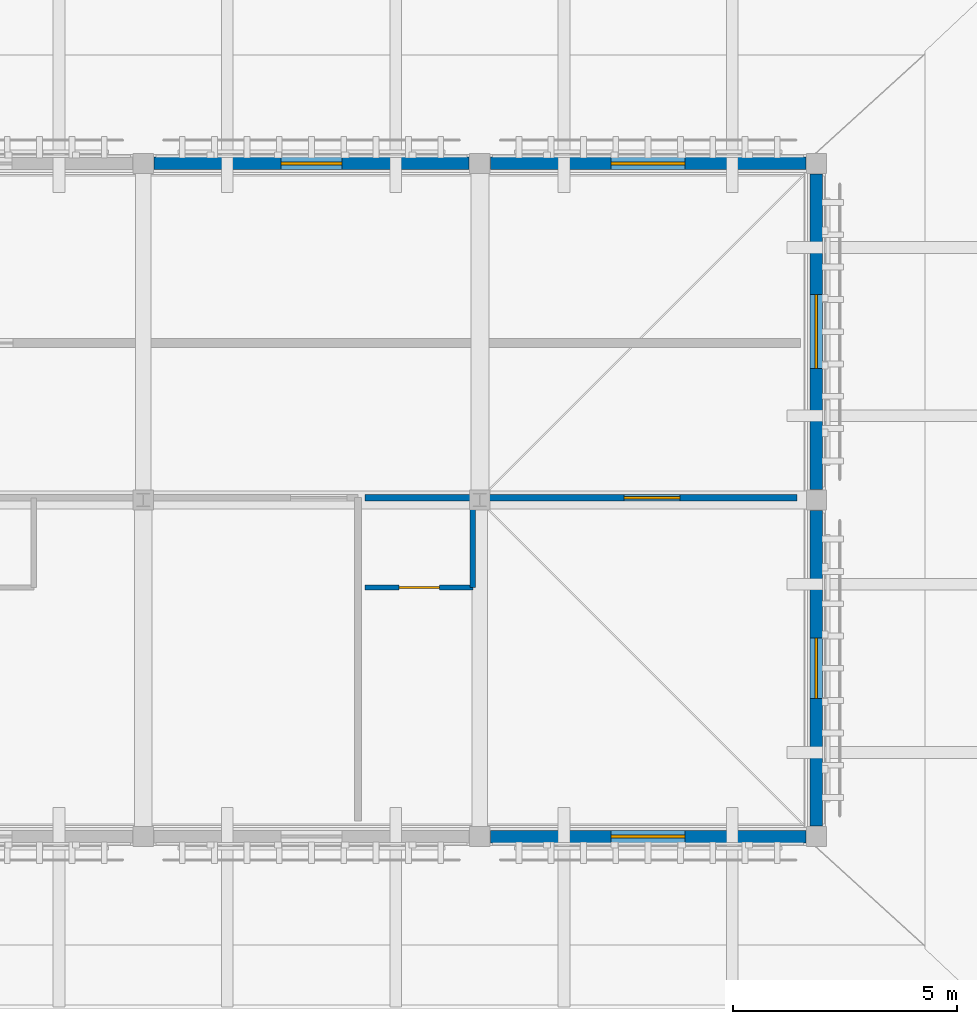
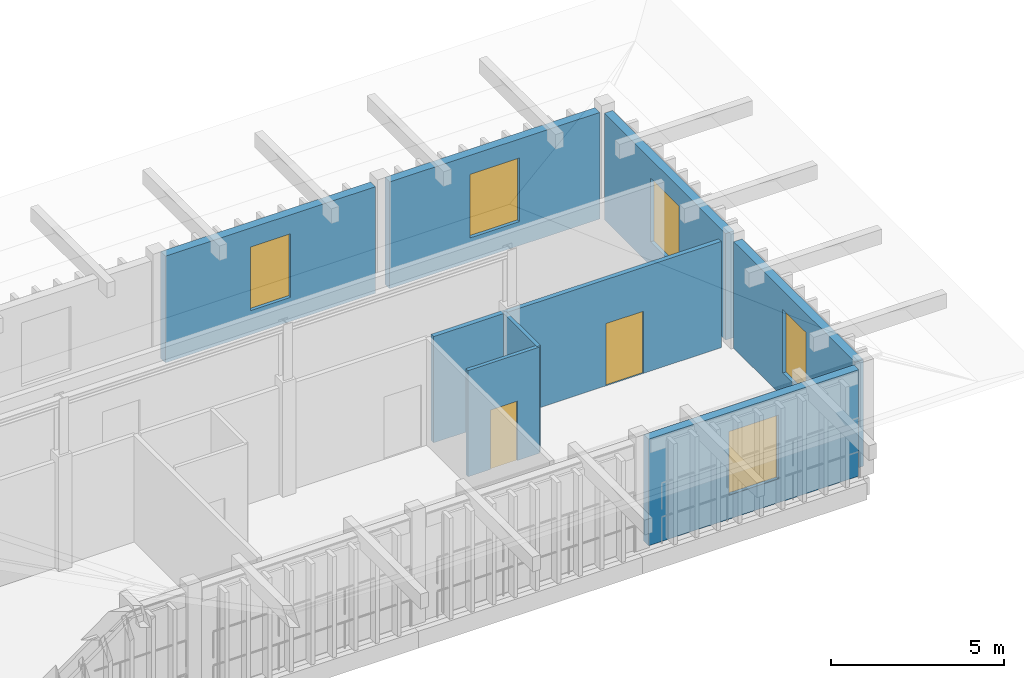
# One storey, part 19 of 33: 8 walls, 5 windows, 2 doors, 7 openings.
"""IFC4 building model written with IfcOpenShell, lengths in metres."""

from ifc_helpers import new_model, si_unit, direction, frame, frame_2d, origin, place, context, subcontext, project, spatial, rectangle, extrude, material, layer, layer_set, type_object, element, fill, save


model = new_model("IFC4")

# Units and contexts
model_context = context("Model", 3, precision=1e-05, world=origin(), true_north=direction((0.0, 1.0)))
body_context = subcontext(model_context, "Body", "Model", "MODEL_VIEW")
ifc_project = project(units=[si_unit("LENGTHUNIT", "METRE"), si_unit("AREAUNIT", "SQUARE_METRE"), si_unit("VOLUMEUNIT", "CUBIC_METRE"), si_unit("PLANEANGLEUNIT", "RADIAN"), si_unit("MASSUNIT", "GRAM", prefix="KILO")], contexts=[model_context])

# Site, building, storey
site_placement = place(None, origin())
site = spatial("IfcSite", under=ifc_project, at=site_placement, CompositionType="ELEMENT")
building_placement = place(site_placement, origin())
building = spatial("IfcBuilding", under=site, at=building_placement, Name="Dalvernix Boulevard General Hospital", CompositionType="ELEMENT")
storey_placement = place(building_placement, frame((0.0, 0.0, 21.89990234375)))
storey = spatial("IfcBuildingStorey", under=building, at=storey_placement, Name="L05", CompositionType="ELEMENT", Elevation=21.89990234375)

# Wall, opening, window
ifc_material_1 = material(Name="Screened upper-ward insulated masonry cavity wall C35/45", Category="masonry")
ifc_layer_1 = layer(ifc_material_1, 0.280029296875)
ifc_layer_set_1 = layer_set([ifc_layer_1], Name="Screened upper-ward insulated masonry cavity wall C35/45 (WAL-EW-03)")
wall_type_1 = type_object("IfcWallType", Name="WAL-EW-03", PredefinedType="STANDARD", material=ifc_layer_set_1)
wall_1_placement = place(storey_placement, frame((157.735107421875, 22.5, 0.0), z_axis=(0.0, 0.0, 1.0), x_axis=(1.0, 0.0, 0.0)))
wall_1 = element("IfcWall", 1, at=wall_1_placement, inside=storey, type_object=wall_type_1, Name="L05 Catalan brick external wall N 21-3", PredefinedType="STANDARD", context=body_context, shape_type="SweptSolid", body=[
    extrude(rectangle(XDim=7.02978515625, YDim=0.280029296875, at=frame_2d((3.514892578125, 0.0))), origin(), (0.0, 0.0, 1.0), 3.77001953125),
])
opening_1_placement = place(wall_1_placement, frame((2.840087890625, 0.0, 0.85009765625)))
opening_1 = element("IfcOpeningElement", 2, at=opening_1_placement, cuts=wall_1, Name="Opening WN-19", PredefinedType="OPENING", context=body_context, shape_type="SweptSolid", body=[
    extrude(rectangle(XDim=1.35009765625, YDim=2.25, at=frame_2d((0.675048828125, 1.125))), frame((0.0, 0.14990234375, 0.0), z_axis=(0.0, -1.0, 0.0), x_axis=(1.0, 0.0, 0.0)), (0.0, 0.0, 1.0), 0.300048828125),
])
ifc_material_2 = material(Name="Thermally broken aluminium frame with solar-control double glazing", Category="aluminium")
window_type_1 = type_object("IfcWindowType", Name="WIN-WN-19", PartitioningType="SINGLE_PANEL", PredefinedType="WINDOW", material=ifc_material_2)
window_1_placement = place(opening_1_placement, origin())
window_1 = element("IfcWindow", 3, at=window_1_placement, inside=storey, type_object=window_type_1, Name="L05 clinical window WN-19 N 21-3", OverallHeight=2.25, OverallWidth=1.35009765625, PartitioningType="SINGLE_PANEL", PredefinedType="WINDOW", context=body_context, shape_type="SweptSolid", body=[
    extrude(rectangle(XDim=1.35009765625, YDim=2.25, at=frame_2d((0.675048828125, 1.125))), frame((0.0, 0.030029296875, 0.0), z_axis=(0.0, -1.0, 0.0), x_axis=(1.0, 0.0, 0.0)), (0.0, 0.0, 1.0), 0.06005859375),
])
fill(opening_1, window_1)

wall_2_placement = place(storey_placement, frame((172.264892578125, 7.5, 0.0), z_axis=(0.0, 0.0, 1.0), x_axis=(-1.0, 0.0, 0.0)))
wall_2 = element("IfcWall", 4, at=wall_2_placement, inside=storey, type_object=wall_type_1, Name="L05 Catalan brick external wall S 22-1", PredefinedType="STANDARD", context=body_context, shape_type="SweptSolid", body=[
    extrude(rectangle(XDim=7.02978515625, YDim=0.280029296875, at=frame_2d((3.514892578125, 0.0))), origin(), (0.0, 0.0, 1.0), 3.77001953125),
])
opening_2_placement = place(wall_2_placement, frame((2.68994140625, 0.0, 0.85009765625)))
opening_2 = element("IfcOpeningElement", 5, at=opening_2_placement, cuts=wall_2, Name="Opening WN-20", PredefinedType="OPENING", context=body_context, shape_type="SweptSolid", body=[
    extrude(rectangle(XDim=1.64990234375, YDim=2.25, at=frame_2d((0.824951171875, 1.125))), frame((0.0, 0.14990234375, 0.0), z_axis=(0.0, -1.0, 0.0), x_axis=(1.0, 0.0, 0.0)), (0.0, 0.0, 1.0), 0.300048828125),
])
window_type_2 = type_object("IfcWindowType", Name="WIN-WN-20", PartitioningType="SINGLE_PANEL", PredefinedType="WINDOW", material=ifc_material_2)
window_2_placement = place(opening_2_placement, origin())
window_2 = element("IfcWindow", 6, at=window_2_placement, inside=storey, type_object=window_type_2, Name="L05 clinical window WN-20 S 22-1", OverallHeight=2.25, OverallWidth=1.64990234375, PartitioningType="SINGLE_PANEL", PredefinedType="WINDOW", context=body_context, shape_type="SweptSolid", body=[
    extrude(rectangle(XDim=1.64990234375, YDim=2.25, at=frame_2d((0.824951171875, 1.125))), frame((0.0, 0.030029296875, 0.0), z_axis=(0.0, -1.0, 0.0), x_axis=(1.0, 0.0, 0.0)), (0.0, 0.0, 1.0), 0.06005859375),
])
fill(opening_2, window_2)

wall_3_placement = place(storey_placement, frame((172.5, 14.764892578125, 0.0), z_axis=(0.0, 0.0, 1.0), x_axis=(0.0, -1.0, 0.0)))
wall_3 = element("IfcWall", 7, at=wall_3_placement, inside=storey, type_object=wall_type_1, Name="L05 Catalan brick external wall E 23-1", PredefinedType="STANDARD", context=body_context, shape_type="SweptSolid", body=[
    extrude(rectangle(XDim=7.02978515625, YDim=0.280029296875, at=frame_2d((3.514892578125, 0.0))), origin(), (0.0, 0.0, 1.0), 3.77001953125),
])
opening_3_placement = place(wall_3_placement, frame((2.840087890625, 0.0, 0.85009765625)))
opening_3 = element("IfcOpeningElement", 8, at=opening_3_placement, cuts=wall_3, Name="Opening WN-19", PredefinedType="OPENING", context=body_context, shape_type="SweptSolid", body=[
    extrude(rectangle(XDim=1.35009765625, YDim=2.25, at=frame_2d((0.675048828125, 1.125))), frame((0.0, 0.14990234375, 0.0), z_axis=(0.0, -1.0, 0.0), x_axis=(1.0, 0.0, 0.0)), (0.0, 0.0, 1.0), 0.300048828125),
])
window_3_placement = place(opening_3_placement, origin())
window_3 = element("IfcWindow", 9, at=window_3_placement, inside=storey, type_object=window_type_1, Name="L05 clinical window WN-19 E 23-1", OverallHeight=2.25, OverallWidth=1.35009765625, PartitioningType="SINGLE_PANEL", PredefinedType="WINDOW", context=body_context, shape_type="SweptSolid", body=[
    extrude(rectangle(XDim=1.35009765625, YDim=2.25, at=frame_2d((0.675048828125, 1.125))), frame((0.0, 0.030029296875, 0.0), z_axis=(0.0, -1.0, 0.0), x_axis=(1.0, 0.0, 0.0)), (0.0, 0.0, 1.0), 0.06005859375),
])
fill(opening_3, window_3)

wall_4_placement = place(storey_placement, frame((165.235107421875, 22.5, 0.0), z_axis=(0.0, 0.0, 1.0), x_axis=(1.0, 0.0, 0.0)))
wall_4 = element("IfcWall", 10, at=wall_4_placement, inside=storey, type_object=wall_type_1, Name="L05 Catalan brick external wall N 22-3", PredefinedType="STANDARD", context=body_context, shape_type="SweptSolid", body=[
    extrude(rectangle(XDim=7.02978515625, YDim=0.280029296875, at=frame_2d((3.514892578125, 0.0))), origin(), (0.0, 0.0, 1.0), 3.77001953125),
])
opening_4_placement = place(wall_4_placement, frame((2.68994140625, 0.0, 0.85009765625)))
opening_4 = element("IfcOpeningElement", 11, at=opening_4_placement, cuts=wall_4, Name="Opening WN-20", PredefinedType="OPENING", context=body_context, shape_type="SweptSolid", body=[
    extrude(rectangle(XDim=1.64990234375, YDim=2.25, at=frame_2d((0.824951171875, 1.125))), frame((0.0, 0.14990234375, 0.0), z_axis=(0.0, -1.0, 0.0), x_axis=(1.0, 0.0, 0.0)), (0.0, 0.0, 1.0), 0.300048828125),
])
window_4_placement = place(opening_4_placement, origin())
window_4 = element("IfcWindow", 12, at=window_4_placement, inside=storey, type_object=window_type_2, Name="L05 clinical window WN-20 N 22-3", OverallHeight=2.25, OverallWidth=1.64990234375, PartitioningType="SINGLE_PANEL", PredefinedType="WINDOW", context=body_context, shape_type="SweptSolid", body=[
    extrude(rectangle(XDim=1.64990234375, YDim=2.25, at=frame_2d((0.824951171875, 1.125))), frame((0.0, 0.030029296875, 0.0), z_axis=(0.0, -1.0, 0.0), x_axis=(1.0, 0.0, 0.0)), (0.0, 0.0, 1.0), 0.06005859375),
])
fill(opening_4, window_4)

wall_5_placement = place(storey_placement, frame((172.5, 22.264892578125, 0.0), z_axis=(0.0, 0.0, 1.0), x_axis=(0.0, -1.0, 0.0)))
wall_5 = element("IfcWall", 13, at=wall_5_placement, inside=storey, type_object=wall_type_1, Name="L05 Catalan brick external wall E 23-2", PredefinedType="STANDARD", context=body_context, shape_type="SweptSolid", body=[
    extrude(rectangle(XDim=7.02978515625, YDim=0.280029296875, at=frame_2d((3.514892578125, 0.0))), origin(), (0.0, 0.0, 1.0), 3.77001953125),
])
opening_5_placement = place(wall_5_placement, frame((2.68994140625, 0.0, 0.85009765625)))
opening_5 = element("IfcOpeningElement", 14, at=opening_5_placement, cuts=wall_5, Name="Opening WN-20", PredefinedType="OPENING", context=body_context, shape_type="SweptSolid", body=[
    extrude(rectangle(XDim=1.64990234375, YDim=2.25, at=frame_2d((0.824951171875, 1.125))), frame((0.0, 0.14990234375, 0.0), z_axis=(0.0, -1.0, 0.0), x_axis=(1.0, 0.0, 0.0)), (0.0, 0.0, 1.0), 0.300048828125),
])
window_5_placement = place(opening_5_placement, origin())
window_5 = element("IfcWindow", 15, at=window_5_placement, inside=storey, type_object=window_type_2, Name="L05 clinical window WN-20 E 23-2", OverallHeight=2.25, OverallWidth=1.64990234375, PartitioningType="SINGLE_PANEL", PredefinedType="WINDOW", context=body_context, shape_type="SweptSolid", body=[
    extrude(rectangle(XDim=1.64990234375, YDim=2.25, at=frame_2d((0.824951171875, 1.125))), frame((0.0, 0.030029296875, 0.0), z_axis=(0.0, -1.0, 0.0), x_axis=(1.0, 0.0, 0.0)), (0.0, 0.0, 1.0), 0.06005859375),
])
fill(opening_5, window_5)

# Wall, opening, door
ifc_material_3 = material(Name="Acoustic double-stud gypsum inpatient partition")
ifc_layer_2 = layer(ifc_material_3, 0.14990234375)
ifc_layer_set_2 = layer_set([ifc_layer_2], Name="Acoustic double-stud gypsum inpatient partition (WAL-IW-04)")
wall_type_2 = type_object("IfcWallType", Name="WAL-IW-04", PredefinedType="PARTITIONING", material=ifc_layer_set_2)
wall_6_placement = place(storey_placement, frame((172.070068359375, 15.050048828125, 0.0), z_axis=(0.0, 0.0, 1.0), x_axis=(-1.0, 0.0, 0.0)))
wall_6 = element("IfcWall", 16, at=wall_6_placement, inside=storey, type_object=wall_type_2, Name="L05 Oncology Inpatient Suite 03 corridor wall", PredefinedType="PARTITIONING", context=body_context, shape_type="SweptSolid", body=[
    extrude(rectangle(XDim=9.623291015625, YDim=0.14990234375, at=frame_2d((4.8115234375, 0.0))), origin(), (0.0, 0.0, 1.0), 3.755126953125),
])
opening_6_placement = place(wall_6_placement, frame((2.612060546875, 0.0, 0.0)))
opening_6 = element("IfcOpeningElement", 17, at=opening_6_placement, cuts=wall_6, Name="Opening ID-04", PredefinedType="OPENING", context=body_context, shape_type="SweptSolid", body=[
    extrude(rectangle(XDim=1.25, YDim=2.199951171875, at=frame_2d((0.625, 1.10009765625))), frame((0.0, 0.0849609375, 0.0), z_axis=(0.0, -1.0, 0.0), x_axis=(1.0, 0.0, 0.0)), (0.0, 0.0, 1.0), 0.169921875),
])
ifc_material_4 = material(Name="Hospital laminate acoustic timber and steel frame", Category="steel")
door_type_1 = type_object("IfcDoorType", Name="DR-ID-04", OperationType="NOTDEFINED", PredefinedType="DOOR", material=ifc_material_4)
door_1_placement = place(opening_6_placement, origin())
door_1 = element("IfcDoor", 18, at=door_1_placement, inside=storey, type_object=door_type_1, Name="L05 Oncology Inpatient Suite 03 door", OperationType="SINGLE_SWING_RIGHT", OverallHeight=2.199951171875, OverallWidth=1.25, PredefinedType="DOOR", context=body_context, shape_type="SweptSolid", body=[
    extrude(rectangle(XDim=1.25, YDim=2.199951171875, at=frame_2d((0.625, 1.10009765625))), frame((0.0, 0.02490234375, 0.0), z_axis=(0.0, -1.0, 0.0), x_axis=(1.0, 0.0, 0.0)), (0.0, 0.0, 1.0), 0.050048828125),
])
fill(opening_6, door_1)

ifc_material_5 = material(Name="Moisture-resistant en-suite bathroom partition")
ifc_layer_3 = layer(ifc_material_5, 0.1201171875)
ifc_layer_set_3 = layer_set([ifc_layer_3], Name="Moisture-resistant en-suite bathroom partition (WAL-IW-05)")
wall_type_3 = type_object("IfcWallType", Name="WAL-IW-05", PredefinedType="PARTITIONING", material=ifc_layer_set_3)
wall_7_placement = place(storey_placement, frame((162.44677734375, 13.050048828125, 0.0), z_axis=(0.0, 0.0, 1.0), x_axis=(1.0, 0.0, 0.0)))
wall_7 = element("IfcWall", 19, at=wall_7_placement, inside=storey, type_object=wall_type_3, Name="L05 en-suite bathroom door wall", PredefinedType="PARTITIONING", context=body_context, shape_type="SweptSolid", body=[
    extrude(rectangle(XDim=2.39990234375, YDim=0.1201171875, at=frame_2d((1.199951171875, 0.0))), origin(), (0.0, 0.0, 1.0), 3.755126953125),
])
opening_7_placement = place(wall_7_placement, frame((0.75, 0.0, 0.0)))
opening_7 = element("IfcOpeningElement", 20, at=opening_7_placement, cuts=wall_7, Name="Opening ID-05", PredefinedType="OPENING", context=body_context, shape_type="SweptSolid", body=[
    extrude(rectangle(XDim=0.89990234375, YDim=2.10009765625, at=frame_2d((0.449951171875, 1.050048828125))), frame((0.0, 0.070068359375, 0.0), z_axis=(0.0, -1.0, 0.0), x_axis=(1.0, 0.0, 0.0)), (0.0, 0.0, 1.0), 0.14013671875),
])
door_type_2 = type_object("IfcDoorType", Name="DR-ID-05", OperationType="NOTDEFINED", PredefinedType="DOOR", material=ifc_material_4)
door_2_placement = place(opening_7_placement, origin())
door_2 = element("IfcDoor", 21, at=door_2_placement, inside=storey, type_object=door_type_2, Name="L05 L05-V5-E3 en-suite bathroom door", OperationType="SINGLE_SWING_LEFT", OverallHeight=2.10009765625, OverallWidth=0.89990234375, PredefinedType="DOOR", context=body_context, shape_type="SweptSolid", body=[
    extrude(rectangle(XDim=0.89990234375, YDim=2.10009765625, at=frame_2d((0.449951171875, 1.050048828125))), frame((0.0, 0.02490234375, 0.0), z_axis=(0.0, -1.0, 0.0), x_axis=(1.0, 0.0, 0.0)), (0.0, 0.0, 1.0), 0.050048828125),
])
fill(opening_7, door_2)

# Wall
wall_8_placement = place(storey_placement, frame((164.8466796875, 13.050048828125, 0.0), z_axis=(0.0, 0.0, 1.0), x_axis=(0.0, 1.0, 0.0)))
element("IfcWall", 22, at=wall_8_placement, inside=storey, type_object=wall_type_3, Name="L05 en-suite bathroom side wall", PredefinedType="PARTITIONING", context=body_context, shape_type="SweptSolid", body=[
    extrude(rectangle(XDim=2.0, YDim=0.1201171875, at=frame_2d((1.0, 0.0))), origin(), (0.0, 0.0, 1.0), 3.755126953125),
])

save(model, "model.ifc")
